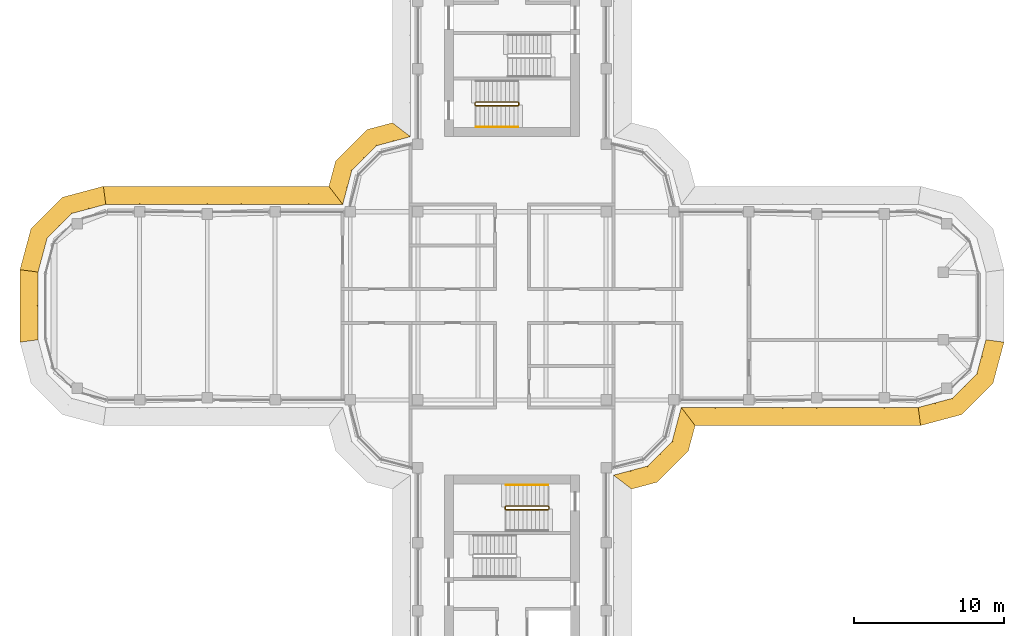
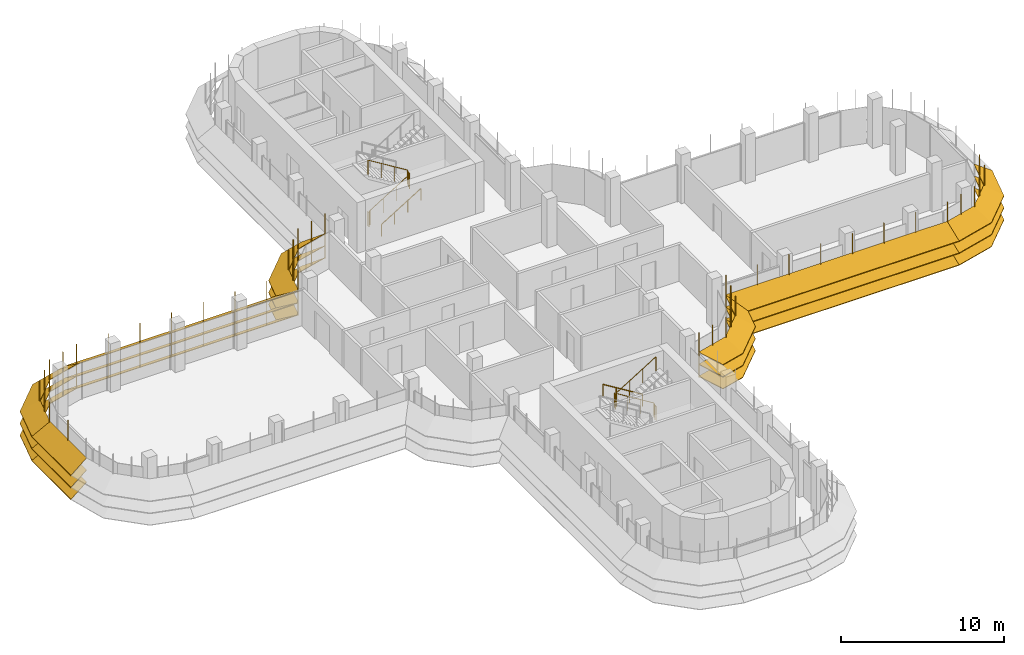
# One storey, part 17 of 19: 7 shading devices, 4 railings.
"""IFC4 building model written with IfcOpenShell, lengths in metres."""

import ifcopenshell
import ifcopenshell.guid

model = None  # the IFC model being written
_history = None  # IfcOwnerHistory: only IFC2X3 demands one
_inside = {}  # id of a spatial element -> (the spatial element, [elements in it])
_under = {}  # id of a project, library or spatial element -> (it, [spatial elements below it])
_declared = {}  # id of a project -> (the project, [libraries it declares])
_typed = {}  # id of a type object -> (the type object, [elements of that type])
_made_of = {}  # id of a material, layer set ... -> (it, [elements and type objects made of it])


def new_model(schema):
    """Start an empty IFC model of exactly this schema.

    Asked for "IFC4X3", IfcOpenShell would pick the latest addendum, in which some entities
    have other attributes; the version numbers below select the first issue.
    IFC2X3 requires an IfcOwnerHistory on every rooted entity: one is made here for all.
    """
    global model, _history
    if schema == "IFC4X3":
        model = ifcopenshell.file(schema_version=(4, 3, 0, 0))
    else:
        model = ifcopenshell.file(schema=schema)
    _inside.clear()
    _under.clear()
    _declared.clear()
    _typed.clear()
    _made_of.clear()
    _history = None
    if model.schema == "IFC2X3":
        org = make("IfcOrganization", Name="unknown")
        user = make(
            "IfcPersonAndOrganization",
            ThePerson=make("IfcPerson", FamilyName="unknown"),
            TheOrganization=org,
        )
        app = make(
            "IfcApplication",
            ApplicationDeveloper=org,
            Version="unknown",
            ApplicationFullName="unknown",
            ApplicationIdentifier="unknown",
        )
        _history = make(
            "IfcOwnerHistory",
            OwningUser=user,
            OwningApplication=app,
            ChangeAction="ADDED",
            CreationDate=0,
        )
    return model


def make(cls, **values):
    """One entity of the class cls with the attributes given. An attribute that is None is left unset."""
    return model.create_entity(
        cls, **{name: value for name, value in values.items() if value is not None}
    )


def rooted(cls, **values):
    """An entity with a GlobalId (a new one), such as an element, a storey or a relation."""
    return make(cls, GlobalId=ifcopenshell.guid.new(), OwnerHistory=_history, **values)


def si_unit(unit_type, name, prefix=None):
    """IfcSIUnit, for example si_unit("LENGTHUNIT", "METRE", prefix="MILLI")."""
    return make("IfcSIUnit", UnitType=unit_type, Prefix=prefix, Name=name)


def assignment(units):
    """IfcUnitAssignment: the units of a project."""
    return None if units is None else make("IfcUnitAssignment", Units=units)


def point(xyz):
    """IfcCartesianPoint."""
    return None if xyz is None else make("IfcCartesianPoint", Coordinates=xyz)


def direction(xyz):
    """IfcDirection."""
    return None if xyz is None else make("IfcDirection", DirectionRatios=xyz)


def frame(location, z_axis=None, x_axis=None):
    """IfcAxis2Placement3D, a coordinate frame: its origin and axes. An axis left out is left unset."""
    return make(
        "IfcAxis2Placement3D",
        Location=point(location),
        Axis=direction(z_axis),
        RefDirection=direction(x_axis),
    )


def frame_2d(location, x_axis=None):
    """IfcAxis2Placement2D, a coordinate frame in the plane: its origin and x axis."""
    return make(
        "IfcAxis2Placement2D", Location=point(location), RefDirection=direction(x_axis)
    )


def origin():
    """The frame at (0, 0, 0) with its axes left unset."""
    return frame((0.0, 0.0, 0.0))


def origin_2d():
    """The frame at (0, 0) in the plane with its x axis left unset."""
    return frame_2d((0.0, 0.0))


def place(relative_to, where):
    """IfcLocalPlacement: puts the frame where relative to a parent placement (None: the world)."""
    return make(
        "IfcLocalPlacement", PlacementRelTo=relative_to, RelativePlacement=where
    )


def context(
    kind, dimensions, precision=None, world=None, true_north=None, identifier=None
):
    """IfcGeometricRepresentationContext, for example the 3D "Model" context."""
    return make(
        "IfcGeometricRepresentationContext",
        ContextIdentifier=identifier,
        ContextType=kind,
        CoordinateSpaceDimension=dimensions,
        Precision=precision,
        WorldCoordinateSystem=world,
        TrueNorth=true_north,
    )


def subcontext(parent, identifier, kind, view, scale=None):
    """IfcGeometricRepresentationSubContext, for example "Body" below "Model"."""
    return make(
        "IfcGeometricRepresentationSubContext",
        ContextIdentifier=identifier,
        ContextType=kind,
        ParentContext=parent,
        TargetScale=scale,
        TargetView=view,
    )


def project(units=None, contexts=None):
    """IfcProject with its units and contexts."""
    return rooted(
        "IfcProject",
        Name="project",
        RepresentationContexts=contexts,
        UnitsInContext=assignment(units),
    )


def spatial(cls, under=None, at=None, **own):
    """A site, building, storey or space (cls), placed at a placement, below another one or the project."""
    s = rooted(cls, ObjectPlacement=at, **own)
    if under is not None:
        _under.setdefault(under.id(), (under, []))[1].append(s)
    return s


def polyline(points):
    """IfcPolyline through the points."""
    return make("IfcPolyline", Points=[point(p) for p in points])


def profile(cls, at=None, kind="AREA", **sizes):
    """A parametric profile (cls). Its sizes go by their IFC names, for example OverallWidth=200.0."""
    return make(cls, ProfileType=kind, Position=at, **sizes)


def circle(**sizes):
    """IfcCircleProfileDef."""
    return profile("IfcCircleProfileDef", **sizes)


def outline(outer, holes=None, kind="AREA"):
    """IfcArbitraryClosedProfileDef: a profile drawn as a closed curve; with holes, ...WithVoids."""
    if holes is None:
        return make("IfcArbitraryClosedProfileDef", ProfileType=kind, OuterCurve=outer)
    return make(
        "IfcArbitraryProfileDefWithVoids",
        ProfileType=kind,
        OuterCurve=outer,
        InnerCurves=holes,
    )


def extrude(swept, where, along, depth):
    """IfcExtrudedAreaSolid: the profile swept, set in the frame where, extruded along a direction by depth."""
    return make(
        "IfcExtrudedAreaSolid",
        SweptArea=swept,
        Position=where,
        ExtrudedDirection=direction(along),
        Depth=depth,
    )


def faces_of(points, faces, orient=None, outer=None):
    """IfcFace entities. A face is a list of loops; a loop is a list of indices into points, from 0.

    orient and outer hold one flag for each loop. By default every Orientation is true, the
    first loop of a face is its IfcFaceOuterBound and the others are IfcFaceBound.
    """
    made = []
    for i, loops in enumerate(faces):
        bounds = []
        for j, loop in enumerate(loops):
            is_outer = j == 0 if outer is None else outer[i][j]
            bounds.append(
                make(
                    "IfcFaceOuterBound" if is_outer else "IfcFaceBound",
                    Bound=make("IfcPolyLoop", Polygon=[points[k] for k in loop]),
                    Orientation=True if orient is None else orient[i][j],
                )
            )
        made.append(make("IfcFace", Bounds=bounds))
    return made


def faceted_brep(points, faces, orient=None, outer=None, voids=None):
    """IfcFacetedBrep: a solid bounded by flat faces; with voids (closed shells), ...WithVoids."""
    shared = [point(p) for p in points]
    hull = make("IfcClosedShell", CfsFaces=faces_of(shared, faces, orient, outer))
    if voids is None:
        return make("IfcFacetedBrep", Outer=hull)
    return make(
        "IfcFacetedBrepWithVoids",
        Outer=hull,
        Voids=[
            make(cls, CfsFaces=faces_of(shared, fs, o, b)) for cls, fs, o, b in voids
        ],
    )


def shape(context_of_items, identifier, shape_type, items):
    """IfcShapeRepresentation: the items that make up one representation, for example the "Body"."""
    return make(
        "IfcShapeRepresentation",
        ContextOfItems=context_of_items,
        RepresentationIdentifier=identifier,
        RepresentationType=shape_type,
        Items=items,
    )


def source(mapping_origin, context_of_items, identifier, shape_type, items):
    """IfcRepresentationMap: a shape defined once, which mapped items show again and again."""
    return make(
        "IfcRepresentationMap",
        MappingOrigin=mapping_origin,
        MappedRepresentation=shape(context_of_items, identifier, shape_type, items),
    )


def transform(
    local_origin,
    x_axis=None,
    y_axis=None,
    z_axis=None,
    scale=None,
    scale2=None,
    scale3=None,
    uniform=True,
):
    """IfcCartesianTransformationOperator3D, or its non-uniform kind. x_axis, y_axis, z_axis: its Axis1, 2, 3."""
    if uniform:
        return make(
            "IfcCartesianTransformationOperator3D",
            Axis1=direction(x_axis),
            Axis2=direction(y_axis),
            LocalOrigin=point(local_origin),
            Scale=scale,
            Axis3=direction(z_axis),
        )
    return make(
        "IfcCartesianTransformationOperator3DnonUniform",
        Axis1=direction(x_axis),
        Axis2=direction(y_axis),
        LocalOrigin=point(local_origin),
        Scale=scale,
        Axis3=direction(z_axis),
        Scale2=scale2,
        Scale3=scale3,
    )


def mapped(mapping_source, mapping_target):
    """IfcMappedItem: shows the shape of a source again, moved by a transform."""
    return make(
        "IfcMappedItem", MappingSource=mapping_source, MappingTarget=mapping_target
    )


def material(Name=None, Category=None):
    """IfcMaterial."""
    return make("IfcMaterial", Name=Name, Category=Category)


def made_of(thing, what):
    """Note that an element or type object is made of a material, layer set ...; save() writes the relation."""
    if what is not None:
        _made_of.setdefault(what.id(), (what, []))[1].append(thing)
    return thing


def type_object(cls, material=None, **own):
    """A type object (cls), such as IfcWallType, which elements share."""
    return made_of(rooted(cls, **own), material)


def element(
    cls,
    number,
    at=None,
    inside=None,
    cuts=None,
    type_object=None,
    material=None,
    context=None,
    identifier="Body",
    shape_type=None,
    held_by="IfcProductDefinitionShape",
    body=None,
    shapes=None,
    **own,
):
    """One element of the class cls, such as IfcWall. Its Tag is "e" and its number.

    at: its placement. inside: the storey or other place that contains it. cuts: it is an
    opening in that element (IfcRelVoidsElement). A single representation is given by context,
    identifier, shape_type and body (its items); several are given by shapes. held_by: the class
    of the entity that holds the representations. save() writes the other relations.
    """
    e = rooted(cls, Tag="e%d" % number, ObjectPlacement=at, **own)
    if body is not None:
        shapes = [shape(context, identifier, shape_type, body)]
    if shapes is not None:
        e.Representation = make(held_by, Representations=shapes)
    if inside is not None:
        _inside.setdefault(inside.id(), (inside, []))[1].append(e)
    if cuts is not None:
        rooted(
            "IfcRelVoidsElement", RelatingBuildingElement=cuts, RelatedOpeningElement=e
        )
    if type_object is not None:
        _typed.setdefault(type_object.id(), (type_object, []))[1].append(e)
    return made_of(e, material)


def aggregate(whole, parts):
    """IfcRelAggregates: a whole, such as a stair, and the parts it consists of."""
    return rooted("IfcRelAggregates", RelatingObject=whole, RelatedObjects=parts)


def save(model, path):
    """Write the relations noted so far, then the file.

    IfcRelAggregates (storeys below a building ...), IfcRelContainedInSpatialStructure (elements
    in a storey), IfcRelDefinesByType, IfcRelAssociatesMaterial and IfcRelDeclares: one each for
    every whole, place, type object, material and project.
    """
    for whole, parts in _under.values():
        aggregate(whole, parts)
    for where, things in _inside.values():
        rooted(
            "IfcRelContainedInSpatialStructure",
            RelatedElements=things,
            RelatingStructure=where,
        )
    for kind, things in _typed.values():
        rooted("IfcRelDefinesByType", RelatedObjects=things, RelatingType=kind)
    for what, things in _made_of.values():
        rooted("IfcRelAssociatesMaterial", RelatedObjects=things, RelatingMaterial=what)
    for by, libraries in _declared.values():
        rooted("IfcRelDeclares", RelatingContext=by, RelatedDefinitions=libraries)
    model.write(path)


model = new_model("IFC4")

# Units and contexts
model_context = context("Model", 3, precision=1e-05, world=origin(), true_north=direction((0.0, 1.0)))
body_context = subcontext(model_context, "Body", "Model", "MODEL_VIEW")
ifc_project = project(units=[si_unit("LENGTHUNIT", "METRE"), si_unit("AREAUNIT", "SQUARE_METRE"), si_unit("VOLUMEUNIT", "CUBIC_METRE"), si_unit("PLANEANGLEUNIT", "RADIAN"), si_unit("MASSUNIT", "GRAM", prefix="KILO")], contexts=[model_context])

# Site, building, storey
site_placement = place(None, origin())
site = spatial("IfcSite", under=ifc_project, at=site_placement, CompositionType="ELEMENT")
building_placement = place(site_placement, origin())
building = spatial("IfcBuilding", under=site, at=building_placement, Name="Zarbagh Exchange Tower", CompositionType="ELEMENT")
storey_placement = place(building_placement, frame((0.0, 0.0, 222.0)))
storey = spatial("IfcBuildingStorey", under=building, at=storey_placement, Name="L54", CompositionType="ELEMENT", Elevation=222.0)

# Railings
ifc_material_1 = material(Name="Stainless steel", Category="steel")
railing_type_1 = type_object("IfcRailingType", Name="Stair guard 1100 mm", PredefinedType="GUARDRAIL", material=ifc_material_1)
railing_1_placement = place(storey_placement, frame((-2.449951171875, 13.5, 0.0)))
element("IfcRailing", 1, at=railing_1_placement, inside=storey, type_object=railing_type_1, Name="ST2 stair guard 1", PredefinedType="GUARDRAIL", context=body_context, shape_type="SweptSolid", body=[
    extrude(circle(Radius=0.02392578125, at=origin_2d()), frame((0.0, 0.0, 1.076171875), z_axis=(0.0, -1.0, 0.0), x_axis=(1.0, 0.0, 0.0)), (0.0, 0.0, 1.0), 0.14990234375),
    extrude(circle(Radius=0.02392578125, at=origin_2d()), frame((0.0, -0.14990234375, 1.076171875), z_axis=(0.268277960024, -0.268277960024, 0.925231793839), x_axis=(0.707106781187, 0.707106781187, 0.0)), (0.0, 0.0, 1.0), 0.1865234375),
    extrude(circle(Radius=0.02392578125, at=origin_2d()), frame((0.050048828125, -0.199951171875, 1.24853515625), z_axis=(0.851069175582, 0.0, 0.525053576669), x_axis=(0.0, 1.0, 0.0)), (0.0, 0.0, 1.0), 3.289794921875),
    extrude(circle(Radius=0.02392578125, at=origin_2d()), frame((2.849853515625, -0.199951171875, 2.97607421875), z_axis=(0.707106781187, 0.707106781187, 0.0), x_axis=(-0.707106781187, 0.707106781187, 0.0)), (0.0, 0.0, 1.0), 0.07080078125),
    extrude(circle(Radius=0.02392578125, at=origin_2d()), frame((2.89990234375, -0.14990234375, 2.97607421875), z_axis=(0.0, 1.0, 0.0), x_axis=(-1.0, 0.0, 0.0)), (0.0, 0.0, 1.0), 0.14990234375),
    extrude(circle(Radius=0.02392578125, at=origin_2d()), frame((2.89990234375, 0.0, 2.97607421875), z_axis=(-0.267953482034, 0.267953482034, 0.925419830635), x_axis=(-0.707106781187, -0.707106781187, 0.0)), (0.0, 0.0, 1.0), 0.186767578125),
    extrude(circle(Radius=0.02392578125, at=origin_2d()), frame((2.849853515625, 0.050048828125, 3.14892578125), z_axis=(-0.851069175582, 0.0, 0.525053576669), x_axis=(0.0, -1.0, 0.0)), (0.0, 0.0, 1.0), 3.289794921875),
    extrude(circle(Radius=0.02099609375, at=origin_2d()), origin(), (0.0, 0.0, 1.0), 1.052001953125),
    extrude(circle(Radius=0.02099609375, at=origin_2d()), frame((0.0, -0.14990234375, 0.0)), (0.0, 0.0, 1.0), 1.052001953125),
    extrude(circle(Radius=0.02099609375, at=origin_2d()), frame((0.050048828125, -0.199951171875, 0.172607421875)), (0.0, 0.0, 1.0), 1.052001953125),
    extrude(circle(Radius=0.02099609375, at=origin_2d()), frame((0.9833984375, -0.199951171875, 0.748291015625)), (0.0, 0.0, 1.0), 1.052001953125),
    extrude(circle(Radius=0.02099609375, at=origin_2d()), frame((1.91650390625, -0.199951171875, 1.32421875)), (0.0, 0.0, 1.0), 1.052001953125),
    extrude(circle(Radius=0.02099609375, at=origin_2d()), frame((2.849853515625, -0.199951171875, 1.89990234375)), (0.0, 0.0, 1.0), 1.052001953125),
    extrude(circle(Radius=0.02099609375, at=origin_2d()), frame((2.89990234375, -0.14990234375, 1.89990234375)), (0.0, 0.0, 1.0), 1.052001953125),
    extrude(circle(Radius=0.02099609375, at=origin_2d()), frame((2.89990234375, 0.0, 1.89990234375)), (0.0, 0.0, 1.0), 1.052001953125),
    extrude(circle(Radius=0.02099609375, at=origin_2d()), frame((2.849853515625, 0.050048828125, 2.07275390625)), (0.0, 0.0, 1.0), 1.052001953125),
    extrude(circle(Radius=0.02099609375, at=origin_2d()), frame((1.91650390625, 0.050048828125, 2.6484375)), (0.0, 0.0, 1.0), 1.052001953125),
    extrude(circle(Radius=0.02099609375, at=origin_2d()), frame((0.9833984375, 0.050048828125, 3.224365234375)), (0.0, 0.0, 1.0), 1.052001953125),
    extrude(circle(Radius=0.02099609375, at=origin_2d()), frame((0.050048828125, 0.050048828125, 3.800048828125)), (0.0, 0.0, 1.0), 1.052001953125),
])
railing_2_placement = place(storey_placement, frame((2.449951171875, -13.5, 0.0)))
element("IfcRailing", 2, at=railing_2_placement, inside=storey, type_object=railing_type_1, Name="ST4 stair guard 1", PredefinedType="GUARDRAIL", context=body_context, shape_type="SweptSolid", body=[
    extrude(circle(Radius=0.02392578125, at=origin_2d()), frame((0.0, 0.0, 1.076171875), z_axis=(0.0, 1.0, 0.0), x_axis=(-1.0, 0.0, 0.0)), (0.0, 0.0, 1.0), 0.14990234375),
    extrude(circle(Radius=0.02392578125, at=origin_2d()), frame((0.0, 0.14990234375, 1.076171875), z_axis=(-0.268277960024, 0.268277960024, 0.925231793839), x_axis=(-0.707106781187, -0.707106781187, 0.0)), (0.0, 0.0, 1.0), 0.1865234375),
    extrude(circle(Radius=0.02392578125, at=origin_2d()), frame((-0.050048828125, 0.199951171875, 1.24853515625), z_axis=(-0.851069175582, 0.0, 0.525053576669), x_axis=(0.0, -1.0, 0.0)), (0.0, 0.0, 1.0), 3.289794921875),
    extrude(circle(Radius=0.02392578125, at=origin_2d()), frame((-2.849853515625, 0.199951171875, 2.97607421875), z_axis=(-0.707106781187, -0.707106781187, 0.0), x_axis=(0.707106781187, -0.707106781187, 0.0)), (0.0, 0.0, 1.0), 0.07080078125),
    extrude(circle(Radius=0.02392578125, at=origin_2d()), frame((-2.89990234375, 0.14990234375, 2.97607421875), z_axis=(0.0, -1.0, 0.0), x_axis=(1.0, 0.0, 0.0)), (0.0, 0.0, 1.0), 0.14990234375),
    extrude(circle(Radius=0.02392578125, at=origin_2d()), frame((-2.89990234375, 0.0, 2.97607421875), z_axis=(0.267953482034, -0.267953482034, 0.925419830635), x_axis=(0.707106781187, 0.707106781187, 0.0)), (0.0, 0.0, 1.0), 0.186767578125),
    extrude(circle(Radius=0.02392578125, at=origin_2d()), frame((-2.849853515625, -0.050048828125, 3.14892578125), z_axis=(0.851069175582, 0.0, 0.525053576669), x_axis=(0.0, 1.0, 0.0)), (0.0, 0.0, 1.0), 3.289794921875),
    extrude(circle(Radius=0.02099609375, at=origin_2d()), origin(), (0.0, 0.0, 1.0), 1.052001953125),
    extrude(circle(Radius=0.02099609375, at=origin_2d()), frame((0.0, 0.14990234375, 0.0)), (0.0, 0.0, 1.0), 1.052001953125),
    extrude(circle(Radius=0.02099609375, at=origin_2d()), frame((-0.050048828125, 0.199951171875, 0.172607421875)), (0.0, 0.0, 1.0), 1.052001953125),
    extrude(circle(Radius=0.02099609375, at=origin_2d()), frame((-0.9833984375, 0.199951171875, 0.748291015625)), (0.0, 0.0, 1.0), 1.052001953125),
    extrude(circle(Radius=0.02099609375, at=origin_2d()), frame((-1.91650390625, 0.199951171875, 1.32421875)), (0.0, 0.0, 1.0), 1.052001953125),
    extrude(circle(Radius=0.02099609375, at=origin_2d()), frame((-2.849853515625, 0.199951171875, 1.89990234375)), (0.0, 0.0, 1.0), 1.052001953125),
    extrude(circle(Radius=0.02099609375, at=origin_2d()), frame((-2.89990234375, 0.14990234375, 1.89990234375)), (0.0, 0.0, 1.0), 1.052001953125),
    extrude(circle(Radius=0.02099609375, at=origin_2d()), frame((-2.89990234375, 0.0, 1.89990234375)), (0.0, 0.0, 1.0), 1.052001953125),
    extrude(circle(Radius=0.02099609375, at=origin_2d()), frame((-2.849853515625, -0.050048828125, 2.07275390625)), (0.0, 0.0, 1.0), 1.052001953125),
    extrude(circle(Radius=0.02099609375, at=origin_2d()), frame((-1.91650390625, -0.050048828125, 2.6484375)), (0.0, 0.0, 1.0), 1.052001953125),
    extrude(circle(Radius=0.02099609375, at=origin_2d()), frame((-0.9833984375, -0.050048828125, 3.224365234375)), (0.0, 0.0, 1.0), 1.052001953125),
    extrude(circle(Radius=0.02099609375, at=origin_2d()), frame((-0.050048828125, -0.050048828125, 3.800048828125)), (0.0, 0.0, 1.0), 1.052001953125),
])
railing_type_2 = type_object("IfcRailingType", Name="Stair handrail 900 mm", PredefinedType="HANDRAIL", material=ifc_material_1)
railing_3_placement = place(storey_placement, frame((-2.39990234375, 11.89990234375, 0.172607421875)))
element("IfcRailing", 3, at=railing_3_placement, inside=storey, type_object=railing_type_2, Name="ST2 stair handrail 1", PredefinedType="HANDRAIL", context=body_context, shape_type="SweptSolid", body=[
    extrude(circle(Radius=0.02392578125, at=origin_2d()), frame((0.0, 0.0, 0.8759765625), z_axis=(0.851069175582, 0.0, 0.525053576669), x_axis=(0.0, 1.0, 0.0)), (0.0, 0.0, 1.0), 3.289794921875),
    extrude(circle(Radius=0.02099609375, at=origin_2d()), origin(), (0.0, 0.0, 1.0), 0.851806640625),
    extrude(circle(Radius=0.02099609375, at=origin_2d()), frame((0.933349609375, 0.0, 0.57568359375)), (0.0, 0.0, 1.0), 0.851806640625),
    extrude(circle(Radius=0.02099609375, at=origin_2d()), frame((1.866455078125, 0.0, 1.151611328125)), (0.0, 0.0, 1.0), 0.851806640625),
    extrude(circle(Radius=0.02099609375, at=origin_2d()), frame((2.7998046875, 0.0, 1.727294921875)), (0.0, 0.0, 1.0), 0.851806640625),
])
railing_4_placement = place(storey_placement, frame((2.39990234375, -11.89990234375, 0.172607421875)))
element("IfcRailing", 4, at=railing_4_placement, inside=storey, type_object=railing_type_2, Name="ST4 stair handrail 1", PredefinedType="HANDRAIL", context=body_context, shape_type="SweptSolid", body=[
    extrude(circle(Radius=0.02392578125, at=origin_2d()), frame((0.0, 0.0, 0.8759765625), z_axis=(-0.851069175582, 0.0, 0.525053576669), x_axis=(0.0, -1.0, 0.0)), (0.0, 0.0, 1.0), 3.289794921875),
    extrude(circle(Radius=0.02099609375, at=origin_2d()), origin(), (0.0, 0.0, 1.0), 0.851806640625),
    extrude(circle(Radius=0.02099609375, at=origin_2d()), frame((-0.933349609375, 0.0, 0.57568359375)), (0.0, 0.0, 1.0), 0.851806640625),
    extrude(circle(Radius=0.02099609375, at=origin_2d()), frame((-1.866455078125, 0.0, 1.151611328125)), (0.0, 0.0, 1.0), 0.851806640625),
    extrude(circle(Radius=0.02099609375, at=origin_2d()), frame((-2.7998046875, 0.0, 1.727294921875)), (0.0, 0.0, 1.0), 0.851806640625),
])

# Shading devices
ifc_material_2 = material(Name="Anodised aluminium blades and brackets", Category="aluminium")
shading_device_type = type_object("IfcShadingDeviceType", Name="SUNSHADE louvre band, 33.75 degree blades", PredefinedType="JALOUSIE", material=ifc_material_2)
shared_shape_1 = source(origin(), body_context, "Body", "Brep", [
    faceted_brep([(0.0, 0.0, 0.0), (0.0, 0.0, -0.048095703125), (-0.157958984375, -1.199951171875, -0.849853515625), (-0.157958984375, -1.199951171875, -0.8017578125), (2.65087890625, -1.199951171875, -0.8017578125), (2.65087890625, -1.199951171875, -0.849853515625), (2.329345703125, 0.0, -0.048095703125), (2.329345703125, 0.0, 0.0)], [[[0, 1, 2, 3]], [[4, 5, 6, 7]], [[0, 7, 6, 1]], [[1, 6, 5, 2]], [[2, 5, 4, 3]], [[3, 4, 7, 0]]]),
])
shared_shape_2 = source(origin(), body_context, "Body", "Brep", [
    faceted_brep([(0.0, 0.0, 0.0), (0.0, 0.0, -0.048095703125), (-0.321533203125, -1.199951171875, -0.849853515625), (-0.321533203125, -1.199951171875, -0.8017578125), (2.65087890625, -1.199951171875, -0.8017578125), (2.65087890625, -1.199951171875, -0.849853515625), (2.329345703125, 0.0, -0.048095703125), (2.329345703125, 0.0, 0.0)], [[[0, 1, 2, 3]], [[4, 5, 6, 7]], [[0, 7, 6, 1]], [[1, 6, 5, 2]], [[2, 5, 4, 3]], [[3, 4, 7, 0]]]),
])
shared_shape_3 = source(origin(), body_context, "Body", "Brep", [
    faceted_brep([(0.0, 0.0, 0.0), (0.0, 0.0, -0.048095703125), (-0.321533203125, -1.199951171875, -0.849853515625), (-0.321533203125, -1.199951171875, -0.8017578125), (2.4873046875, -1.199951171875, -0.8017578125), (2.4873046875, -1.199951171875, -0.849853515625), (2.329345703125, 0.0, -0.048095703125), (2.329345703125, 0.0, 0.0)], [[[0, 1, 2, 3]], [[4, 5, 6, 7]], [[0, 7, 6, 1]], [[1, 6, 5, 2]], [[2, 5, 4, 3]], [[3, 4, 7, 0]]]),
])
shared_shape_4 = source(origin(), body_context, "Body", "SweptSolid", [
    extrude(outline(polyline([(0.0, -0.012451171875), (0.06005859375, -0.012451171875), (0.06005859375, 0.012451171875), (0.0, 0.012451171875), (0.0, -0.012451171875)])), origin(), (0.0, 0.0, 1.0), 3.358154296875),
])
placement = place(storey_placement, origin())
element("IfcShadingDevice", 5, at=placement, inside=storey, type_object=shading_device_type, Name="SS31 sunshade band", PredefinedType="JALOUSIE", context=body_context, shape_type="MappedRepresentation", body=[
    mapped(shared_shape_1, transform((27.0, -6.75, 2.300048828125), x_axis=(0.965924289636, 0.258824779902, 0.0), y_axis=(-0.258824779902, 0.965924289636, 0.0), z_axis=(0.0, 0.0, 1.0))),
    mapped(shared_shape_1, transform((27.0, -6.75, 1.39990234375), x_axis=(0.965924289636, 0.258824779902, 0.0), y_axis=(-0.258824779902, 0.965924289636, 0.0), z_axis=(0.0, 0.0, 1.0))),
    mapped(shared_shape_1, transform((27.0, -6.75, 0.5), x_axis=(0.965924289636, 0.258824779902, 0.0), y_axis=(-0.258824779902, 0.965924289636, 0.0), z_axis=(0.0, 0.0, 1.0))),
    mapped(shared_shape_2, transform((29.25, -6.147216796875, 2.300048828125), x_axis=(0.707106781187, 0.707106781187, 0.0), y_axis=(-0.707106781187, 0.707106781187, 0.0), z_axis=(0.0, 0.0, 1.0))),
    mapped(shared_shape_2, transform((29.25, -6.147216796875, 1.39990234375), x_axis=(0.707106781187, 0.707106781187, 0.0), y_axis=(-0.707106781187, 0.707106781187, 0.0), z_axis=(0.0, 0.0, 1.0))),
    mapped(shared_shape_2, transform((29.25, -6.147216796875, 0.5), x_axis=(0.707106781187, 0.707106781187, 0.0), y_axis=(-0.707106781187, 0.707106781187, 0.0), z_axis=(0.0, 0.0, 1.0))),
    mapped(shared_shape_3, transform((30.897216796875, -4.5, 2.300048828125), x_axis=(0.258824779902, 0.965924289636, 0.0), y_axis=(-0.965924289636, 0.258824779902, 0.0), z_axis=(0.0, 0.0, 1.0))),
    mapped(shared_shape_3, transform((30.897216796875, -4.5, 1.39990234375), x_axis=(0.258824779902, 0.965924289636, 0.0), y_axis=(-0.965924289636, 0.258824779902, 0.0), z_axis=(0.0, 0.0, 1.0))),
    mapped(shared_shape_3, transform((30.897216796875, -4.5, 0.5), x_axis=(0.258824779902, 0.965924289636, 0.0), y_axis=(-0.965924289636, 0.258824779902, 0.0), z_axis=(0.0, 0.0, 1.0))),
    mapped(shared_shape_4, transform((27.0, -6.75, 0.421875), x_axis=(0.130529263012, -0.991444457092, 0.0), y_axis=(0.991444457092, 0.130529263012, 0.0), z_axis=(0.0, 0.0, 1.0))),
    mapped(shared_shape_4, transform((28.125, -6.448486328125, 0.421875), x_axis=(0.258825058029, -0.96592421511, 0.0), y_axis=(0.96592421511, 0.258825058029, 0.0), z_axis=(0.0, 0.0, 1.0))),
    mapped(shared_shape_4, transform((29.25, -6.147216796875, 0.421875), x_axis=(0.50000275701, -0.866023812018, 0.0), y_axis=(0.866023812018, 0.50000275701, 0.0), z_axis=(0.0, 0.0, 1.0))),
    mapped(shared_shape_4, transform((30.073486328125, -5.323486328125, 0.421875), x_axis=(0.707106781187, -0.707106781187, 0.0), y_axis=(0.707106781187, 0.707106781187, 0.0), z_axis=(0.0, 0.0, 1.0))),
    mapped(shared_shape_4, transform((30.897216796875, -4.5, 0.421875), x_axis=(0.866023812018, -0.50000275701, 0.0), y_axis=(0.50000275701, 0.866023812018, 0.0), z_axis=(0.0, 0.0, 1.0))),
    mapped(shared_shape_4, transform((31.198486328125, -3.375, 0.421875), x_axis=(0.96592421511, -0.258825058029, 0.0), y_axis=(0.258825058029, 0.96592421511, 0.0), z_axis=(0.0, 0.0, 1.0))),
])
element("IfcShadingDevice", 6, at=placement, inside=storey, type_object=shading_device_type, Name="SS41 sunshade band", PredefinedType="JALOUSIE", context=body_context, shape_type="MappedRepresentation", body=[
    mapped(shared_shape_1, transform((-27.0, 6.75, 2.300048828125), x_axis=(-0.965924289636, -0.258824779902, 0.0), y_axis=(0.258824779902, -0.965924289636, 0.0), z_axis=(0.0, 0.0, 1.0))),
    mapped(shared_shape_1, transform((-27.0, 6.75, 1.39990234375), x_axis=(-0.965924289636, -0.258824779902, 0.0), y_axis=(0.258824779902, -0.965924289636, 0.0), z_axis=(0.0, 0.0, 1.0))),
    mapped(shared_shape_1, transform((-27.0, 6.75, 0.5), x_axis=(-0.965924289636, -0.258824779902, 0.0), y_axis=(0.258824779902, -0.965924289636, 0.0), z_axis=(0.0, 0.0, 1.0))),
    mapped(shared_shape_2, transform((-29.25, 6.147216796875, 2.300048828125), x_axis=(-0.707106781187, -0.707106781187, 0.0), y_axis=(0.707106781187, -0.707106781187, 0.0), z_axis=(0.0, 0.0, 1.0))),
    mapped(shared_shape_2, transform((-29.25, 6.147216796875, 1.39990234375), x_axis=(-0.707106781187, -0.707106781187, 0.0), y_axis=(0.707106781187, -0.707106781187, 0.0), z_axis=(0.0, 0.0, 1.0))),
    mapped(shared_shape_2, transform((-29.25, 6.147216796875, 0.5), x_axis=(-0.707106781187, -0.707106781187, 0.0), y_axis=(0.707106781187, -0.707106781187, 0.0), z_axis=(0.0, 0.0, 1.0))),
    mapped(shared_shape_3, transform((-30.897216796875, 4.5, 2.300048828125), x_axis=(-0.258824779902, -0.965924289636, 0.0), y_axis=(0.965924289636, -0.258824779902, 0.0), z_axis=(0.0, 0.0, 1.0))),
    mapped(shared_shape_3, transform((-30.897216796875, 4.5, 1.39990234375), x_axis=(-0.258824779902, -0.965924289636, 0.0), y_axis=(0.965924289636, -0.258824779902, 0.0), z_axis=(0.0, 0.0, 1.0))),
    mapped(shared_shape_3, transform((-30.897216796875, 4.5, 0.5), x_axis=(-0.258824779902, -0.965924289636, 0.0), y_axis=(0.965924289636, -0.258824779902, 0.0), z_axis=(0.0, 0.0, 1.0))),
    mapped(shared_shape_4, transform((-27.0, 6.75, 0.421875), x_axis=(-0.130529263012, 0.991444457092, 0.0), y_axis=(-0.991444457092, -0.130529263012, 0.0), z_axis=(0.0, 0.0, 1.0))),
    mapped(shared_shape_4, transform((-28.125, 6.448486328125, 0.421875), x_axis=(-0.258825058029, 0.96592421511, 0.0), y_axis=(-0.96592421511, -0.258825058029, 0.0), z_axis=(0.0, 0.0, 1.0))),
    mapped(shared_shape_4, transform((-29.25, 6.147216796875, 0.421875), x_axis=(-0.50000275701, 0.866023812018, 0.0), y_axis=(-0.866023812018, -0.50000275701, 0.0), z_axis=(0.0, 0.0, 1.0))),
    mapped(shared_shape_4, transform((-30.073486328125, 5.323486328125, 0.421875), x_axis=(-0.707106781187, 0.707106781187, 0.0), y_axis=(-0.707106781187, -0.707106781187, 0.0), z_axis=(0.0, 0.0, 1.0))),
    mapped(shared_shape_4, transform((-30.897216796875, 4.5, 0.421875), x_axis=(-0.866023812018, 0.50000275701, 0.0), y_axis=(-0.50000275701, -0.866023812018, 0.0), z_axis=(0.0, 0.0, 1.0))),
    mapped(shared_shape_4, transform((-31.198486328125, 3.375, 0.421875), x_axis=(-0.96592421511, 0.258825058029, 0.0), y_axis=(-0.258825058029, -0.96592421511, 0.0), z_axis=(0.0, 0.0, 1.0))),
])
shared_shape_5 = source(origin(), body_context, "Body", "Brep", [
    faceted_brep([(0.0, 0.0, 0.0), (0.0, 0.0, -0.048095703125), (0.9208984375, -1.199951171875, -0.849853515625), (0.9208984375, -1.199951171875, -0.8017578125), (2.65087890625, -1.199951171875, -0.8017578125), (2.65087890625, -1.199951171875, -0.849853515625), (2.329345703125, 0.0, -0.048095703125), (2.329345703125, 0.0, 0.0)], [[[0, 1, 2, 3]], [[4, 5, 6, 7]], [[0, 7, 6, 1]], [[1, 6, 5, 2]], [[2, 5, 4, 3]], [[3, 4, 7, 0]]]),
])
shared_shape_6 = source(origin(), body_context, "Body", "Brep", [
    faceted_brep([(0.0, 0.0, 0.0), (0.0, 0.0, -0.048095703125), (-0.321533203125, -1.199951171875, -0.849853515625), (-0.321533203125, -1.199951171875, -0.8017578125), (1.40869140625, -1.199951171875, -0.8017578125), (1.40869140625, -1.199951171875, -0.849853515625), (2.329345703125, 0.0, -0.048095703125), (2.329345703125, 0.0, 0.0)], [[[0, 1, 2, 3]], [[4, 5, 6, 7]], [[0, 7, 6, 1]], [[1, 6, 5, 2]], [[2, 5, 4, 3]], [[3, 4, 7, 0]]]),
])
element("IfcShadingDevice", 7, at=placement, inside=storey, type_object=shading_device_type, Name="SS03 sunshade band", PredefinedType="JALOUSIE", context=body_context, shape_type="MappedRepresentation", body=[
    mapped(shared_shape_5, transform((6.75, -11.25, 2.300048828125), x_axis=(0.965924289636, 0.258824779902, 0.0), y_axis=(-0.258824779902, 0.965924289636, 0.0), z_axis=(0.0, 0.0, 1.0))),
    mapped(shared_shape_5, transform((6.75, -11.25, 1.39990234375), x_axis=(0.965924289636, 0.258824779902, 0.0), y_axis=(-0.258824779902, 0.965924289636, 0.0), z_axis=(0.0, 0.0, 1.0))),
    mapped(shared_shape_5, transform((6.75, -11.25, 0.5), x_axis=(0.965924289636, 0.258824779902, 0.0), y_axis=(-0.258824779902, 0.965924289636, 0.0), z_axis=(0.0, 0.0, 1.0))),
    mapped(shared_shape_2, transform((9.0, -10.647216796875, 2.300048828125), x_axis=(0.707106781187, 0.707106781187, 0.0), y_axis=(-0.707106781187, 0.707106781187, 0.0), z_axis=(0.0, 0.0, 1.0))),
    mapped(shared_shape_2, transform((9.0, -10.647216796875, 1.39990234375), x_axis=(0.707106781187, 0.707106781187, 0.0), y_axis=(-0.707106781187, 0.707106781187, 0.0), z_axis=(0.0, 0.0, 1.0))),
    mapped(shared_shape_2, transform((9.0, -10.647216796875, 0.5), x_axis=(0.707106781187, 0.707106781187, 0.0), y_axis=(-0.707106781187, 0.707106781187, 0.0), z_axis=(0.0, 0.0, 1.0))),
    mapped(shared_shape_6, transform((10.647216796875, -9.0, 2.300048828125), x_axis=(0.258824779902, 0.965924289636, 0.0), y_axis=(-0.965924289636, 0.258824779902, 0.0), z_axis=(0.0, 0.0, 1.0))),
    mapped(shared_shape_6, transform((10.647216796875, -9.0, 1.39990234375), x_axis=(0.258824779902, 0.965924289636, 0.0), y_axis=(-0.965924289636, 0.258824779902, 0.0), z_axis=(0.0, 0.0, 1.0))),
    mapped(shared_shape_6, transform((10.647216796875, -9.0, 0.5), x_axis=(0.258824779902, 0.965924289636, 0.0), y_axis=(-0.965924289636, 0.258824779902, 0.0), z_axis=(0.0, 0.0, 1.0))),
    mapped(shared_shape_4, transform((6.75, -11.25, 0.421875), x_axis=(0.793355287, -0.608758892, 0.0), y_axis=(0.608758892, 0.793355287, 0.0), z_axis=(0.0, 0.0, 1.0))),
    mapped(shared_shape_4, transform((7.875, -10.948486328125, 0.421875), x_axis=(0.258825058029, -0.96592421511, 0.0), y_axis=(0.96592421511, 0.258825058029, 0.0), z_axis=(0.0, 0.0, 1.0))),
    mapped(shared_shape_4, transform((9.0, -10.647216796875, 0.421875), x_axis=(0.50000275701, -0.866023812018, 0.0), y_axis=(0.866023812018, 0.50000275701, 0.0), z_axis=(0.0, 0.0, 1.0))),
    mapped(shared_shape_4, transform((9.823486328125, -9.823486328125, 0.421875), x_axis=(0.707106781187, -0.707106781187, 0.0), y_axis=(0.707106781187, 0.707106781187, 0.0), z_axis=(0.0, 0.0, 1.0))),
    mapped(shared_shape_4, transform((10.647216796875, -9.0, 0.421875), x_axis=(0.866023812018, -0.50000275701, 0.0), y_axis=(0.50000275701, 0.866023812018, 0.0), z_axis=(0.0, 0.0, 1.0))),
    mapped(shared_shape_4, transform((10.948486328125, -7.875, 0.421875), x_axis=(0.96592421511, -0.258825058029, 0.0), y_axis=(0.258825058029, 0.96592421511, 0.0), z_axis=(0.0, 0.0, 1.0))),
])
element("IfcShadingDevice", 8, at=placement, inside=storey, type_object=shading_device_type, Name="SS15 sunshade band", PredefinedType="JALOUSIE", context=body_context, shape_type="MappedRepresentation", body=[
    mapped(shared_shape_5, transform((-6.75, 11.25, 2.300048828125), x_axis=(-0.965924289636, -0.258824779902, 0.0), y_axis=(0.258824779902, -0.965924289636, 0.0), z_axis=(0.0, 0.0, 1.0))),
    mapped(shared_shape_5, transform((-6.75, 11.25, 1.39990234375), x_axis=(-0.965924289636, -0.258824779902, 0.0), y_axis=(0.258824779902, -0.965924289636, 0.0), z_axis=(0.0, 0.0, 1.0))),
    mapped(shared_shape_5, transform((-6.75, 11.25, 0.5), x_axis=(-0.965924289636, -0.258824779902, 0.0), y_axis=(0.258824779902, -0.965924289636, 0.0), z_axis=(0.0, 0.0, 1.0))),
    mapped(shared_shape_2, transform((-9.0, 10.647216796875, 2.300048828125), x_axis=(-0.707106781187, -0.707106781187, 0.0), y_axis=(0.707106781187, -0.707106781187, 0.0), z_axis=(0.0, 0.0, 1.0))),
    mapped(shared_shape_2, transform((-9.0, 10.647216796875, 1.39990234375), x_axis=(-0.707106781187, -0.707106781187, 0.0), y_axis=(0.707106781187, -0.707106781187, 0.0), z_axis=(0.0, 0.0, 1.0))),
    mapped(shared_shape_2, transform((-9.0, 10.647216796875, 0.5), x_axis=(-0.707106781187, -0.707106781187, 0.0), y_axis=(0.707106781187, -0.707106781187, 0.0), z_axis=(0.0, 0.0, 1.0))),
    mapped(shared_shape_6, transform((-10.647216796875, 9.0, 2.300048828125), x_axis=(-0.258824779902, -0.965924289636, 0.0), y_axis=(0.965924289636, -0.258824779902, 0.0), z_axis=(0.0, 0.0, 1.0))),
    mapped(shared_shape_6, transform((-10.647216796875, 9.0, 1.39990234375), x_axis=(-0.258824779902, -0.965924289636, 0.0), y_axis=(0.965924289636, -0.258824779902, 0.0), z_axis=(0.0, 0.0, 1.0))),
    mapped(shared_shape_6, transform((-10.647216796875, 9.0, 0.5), x_axis=(-0.258824779902, -0.965924289636, 0.0), y_axis=(0.965924289636, -0.258824779902, 0.0), z_axis=(0.0, 0.0, 1.0))),
    mapped(shared_shape_4, transform((-6.75, 11.25, 0.421875), x_axis=(-0.793355287, 0.608758892, 0.0), y_axis=(-0.608758892, -0.793355287, 0.0), z_axis=(0.0, 0.0, 1.0))),
    mapped(shared_shape_4, transform((-7.875, 10.948486328125, 0.421875), x_axis=(-0.258825058029, 0.96592421511, 0.0), y_axis=(-0.96592421511, -0.258825058029, 0.0), z_axis=(0.0, 0.0, 1.0))),
    mapped(shared_shape_4, transform((-9.0, 10.647216796875, 0.421875), x_axis=(-0.50000275701, 0.866023812018, 0.0), y_axis=(-0.866023812018, -0.50000275701, 0.0), z_axis=(0.0, 0.0, 1.0))),
    mapped(shared_shape_4, transform((-9.823486328125, 9.823486328125, 0.421875), x_axis=(-0.707106781187, 0.707106781187, 0.0), y_axis=(-0.707106781187, -0.707106781187, 0.0), z_axis=(0.0, 0.0, 1.0))),
    mapped(shared_shape_4, transform((-10.647216796875, 9.0, 0.421875), x_axis=(-0.866023812018, 0.50000275701, 0.0), y_axis=(-0.50000275701, -0.866023812018, 0.0), z_axis=(0.0, 0.0, 1.0))),
    mapped(shared_shape_4, transform((-10.948486328125, 7.875, 0.421875), x_axis=(-0.96592421511, 0.258825058029, 0.0), y_axis=(-0.258825058029, -0.96592421511, 0.0), z_axis=(0.0, 0.0, 1.0))),
])
shared_shape_7 = source(origin(), body_context, "Body", "Brep", [
    faceted_brep([(0.0, 0.0, 0.0), (0.0, 0.0, -0.048095703125), (0.9208984375, -1.199951171875, -0.849853515625), (0.9208984375, -1.199951171875, -0.8017578125), (15.907958984375, -1.199951171875, -0.8017578125), (15.907958984375, -1.199951171875, -0.849853515625), (15.75, 0.0, -0.048095703125), (15.75, 0.0, 0.0)], [[[0, 1, 2, 3]], [[4, 5, 6, 7]], [[0, 7, 6, 1]], [[1, 6, 5, 2]], [[2, 5, 4, 3]], [[3, 4, 7, 0]]]),
])
element("IfcShadingDevice", 9, at=placement, inside=storey, type_object=shading_device_type, Name="SS30 sunshade band", PredefinedType="JALOUSIE", context=body_context, shape_type="MappedRepresentation", body=[
    mapped(shared_shape_7, transform((11.25, -6.75, 2.300048828125), x_axis=(1.0, 0.0, 0.0), y_axis=(0.0, 1.0, 0.0), z_axis=(0.0, 0.0, 1.0))),
    mapped(shared_shape_7, transform((11.25, -6.75, 1.39990234375), x_axis=(1.0, 0.0, 0.0), y_axis=(0.0, 1.0, 0.0), z_axis=(0.0, 0.0, 1.0))),
    mapped(shared_shape_7, transform((11.25, -6.75, 0.5), x_axis=(1.0, 0.0, 0.0), y_axis=(0.0, 1.0, 0.0), z_axis=(0.0, 0.0, 1.0))),
    mapped(shared_shape_4, transform((11.25, -6.75, 0.421875), x_axis=(0.608758892, -0.793355287, 0.0), y_axis=(0.793355287, 0.608758892, 0.0), z_axis=(0.0, 0.0, 1.0))),
    mapped(shared_shape_4, transform((13.5, -6.75, 0.421875), x_axis=(0.0, -1.0, 0.0), y_axis=(1.0, 0.0, 0.0), z_axis=(0.0, 0.0, 1.0))),
    mapped(shared_shape_4, transform((15.75, -6.75, 0.421875), x_axis=(0.0, -1.0, 0.0), y_axis=(1.0, 0.0, 0.0), z_axis=(0.0, 0.0, 1.0))),
    mapped(shared_shape_4, transform((18.0, -6.75, 0.421875), x_axis=(0.0, -1.0, 0.0), y_axis=(1.0, 0.0, 0.0), z_axis=(0.0, 0.0, 1.0))),
    mapped(shared_shape_4, transform((20.25, -6.75, 0.421875), x_axis=(0.0, -1.0, 0.0), y_axis=(1.0, 0.0, 0.0), z_axis=(0.0, 0.0, 1.0))),
    mapped(shared_shape_4, transform((22.5, -6.75, 0.421875), x_axis=(0.0, -1.0, 0.0), y_axis=(1.0, 0.0, 0.0), z_axis=(0.0, 0.0, 1.0))),
    mapped(shared_shape_4, transform((24.75, -6.75, 0.421875), x_axis=(0.0, -1.0, 0.0), y_axis=(1.0, 0.0, 0.0), z_axis=(0.0, 0.0, 1.0))),
])
element("IfcShadingDevice", 10, at=placement, inside=storey, type_object=shading_device_type, Name="SS40 sunshade band", PredefinedType="JALOUSIE", context=body_context, shape_type="MappedRepresentation", body=[
    mapped(shared_shape_7, transform((-11.25, 6.75, 2.300048828125), x_axis=(-1.0, 0.0, 0.0), y_axis=(0.0, -1.0, 0.0), z_axis=(0.0, 0.0, 1.0))),
    mapped(shared_shape_7, transform((-11.25, 6.75, 1.39990234375), x_axis=(-1.0, 0.0, 0.0), y_axis=(0.0, -1.0, 0.0), z_axis=(0.0, 0.0, 1.0))),
    mapped(shared_shape_7, transform((-11.25, 6.75, 0.5), x_axis=(-1.0, 0.0, 0.0), y_axis=(0.0, -1.0, 0.0), z_axis=(0.0, 0.0, 1.0))),
    mapped(shared_shape_4, transform((-11.25, 6.75, 0.421875), x_axis=(-0.608758892, 0.793355287, 0.0), y_axis=(-0.793355287, -0.608758892, 0.0), z_axis=(0.0, 0.0, 1.0))),
    mapped(shared_shape_4, transform((-13.5, 6.75, 0.421875), x_axis=(0.0, 1.0, 0.0), y_axis=(-1.0, 0.0, 0.0), z_axis=(0.0, 0.0, 1.0))),
    mapped(shared_shape_4, transform((-15.75, 6.75, 0.421875), x_axis=(0.0, 1.0, 0.0), y_axis=(-1.0, 0.0, 0.0), z_axis=(0.0, 0.0, 1.0))),
    mapped(shared_shape_4, transform((-18.0, 6.75, 0.421875), x_axis=(0.0, 1.0, 0.0), y_axis=(-1.0, 0.0, 0.0), z_axis=(0.0, 0.0, 1.0))),
    mapped(shared_shape_4, transform((-20.25, 6.75, 0.421875), x_axis=(0.0, 1.0, 0.0), y_axis=(-1.0, 0.0, 0.0), z_axis=(0.0, 0.0, 1.0))),
    mapped(shared_shape_4, transform((-22.5, 6.75, 0.421875), x_axis=(0.0, 1.0, 0.0), y_axis=(-1.0, 0.0, 0.0), z_axis=(0.0, 0.0, 1.0))),
    mapped(shared_shape_4, transform((-24.75, 6.75, 0.421875), x_axis=(0.0, 1.0, 0.0), y_axis=(-1.0, 0.0, 0.0), z_axis=(0.0, 0.0, 1.0))),
])
shared_shape_8 = source(origin(), body_context, "Body", "Brep", [
    faceted_brep([(0.0, 0.0, 0.0), (0.0, 0.0, -0.048095703125), (-0.157958984375, -1.199951171875, -0.849853515625), (-0.157958984375, -1.199951171875, -0.8017578125), (4.657958984375, -1.199951171875, -0.8017578125), (4.657958984375, -1.199951171875, -0.849853515625), (4.5, 0.0, -0.048095703125), (4.5, 0.0, 0.0)], [[[0, 1, 2, 3]], [[4, 5, 6, 7]], [[0, 7, 6, 1]], [[1, 6, 5, 2]], [[2, 5, 4, 3]], [[3, 4, 7, 0]]]),
])
element("IfcShadingDevice", 11, at=placement, inside=storey, type_object=shading_device_type, Name="SS42 sunshade band", PredefinedType="JALOUSIE", context=body_context, shape_type="MappedRepresentation", body=[
    mapped(shared_shape_8, transform((-31.5, 2.25, 2.300048828125), x_axis=(0.0, -1.0, 0.0), y_axis=(1.0, 0.0, 0.0), z_axis=(0.0, 0.0, 1.0))),
    mapped(shared_shape_8, transform((-31.5, 2.25, 1.39990234375), x_axis=(0.0, -1.0, 0.0), y_axis=(1.0, 0.0, 0.0), z_axis=(0.0, 0.0, 1.0))),
    mapped(shared_shape_8, transform((-31.5, 2.25, 0.5), x_axis=(0.0, -1.0, 0.0), y_axis=(1.0, 0.0, 0.0), z_axis=(0.0, 0.0, 1.0))),
    mapped(shared_shape_4, transform((-31.5, 2.25, 0.421875), x_axis=(-0.991444457092, 0.130529263012, 0.0), y_axis=(-0.130529263012, -0.991444457092, 0.0), z_axis=(0.0, 0.0, 1.0))),
    mapped(shared_shape_4, transform((-31.5, 0.0, 0.421875), x_axis=(-1.0, 0.0, 0.0), y_axis=(0.0, -1.0, 0.0), z_axis=(0.0, 0.0, 1.0))),
])

save(model, "model.ifc")
